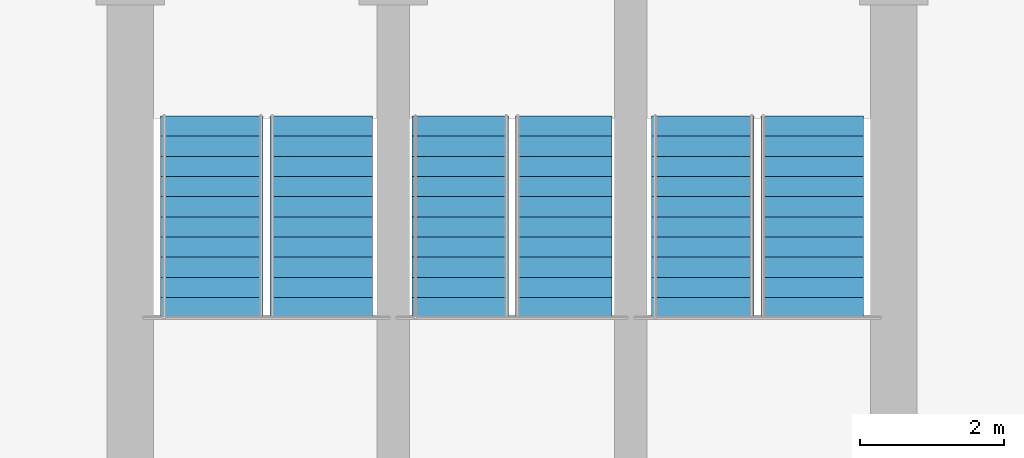
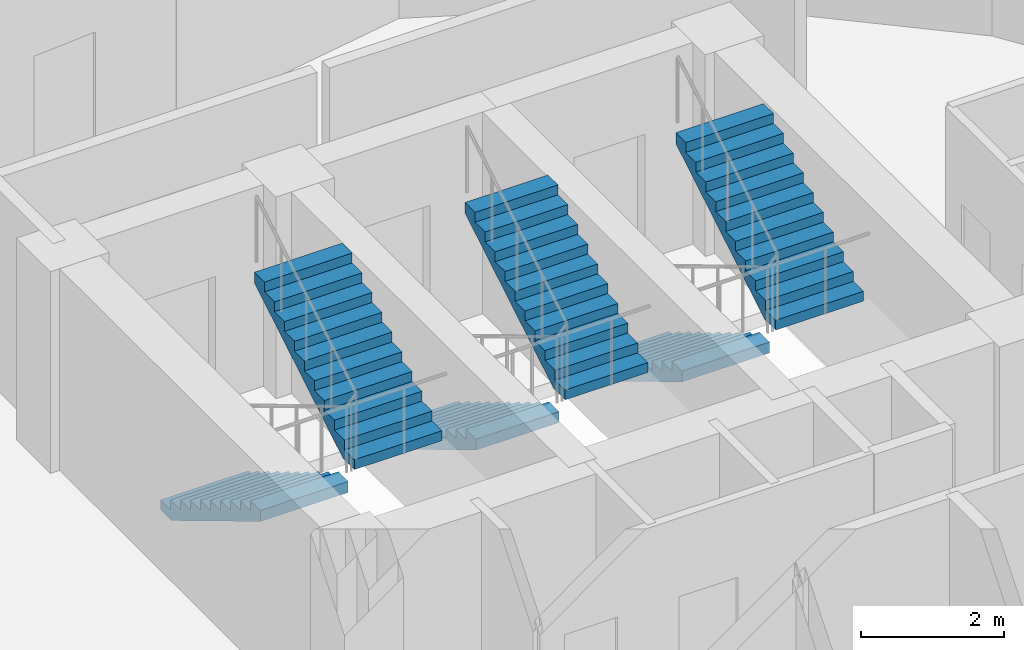
# One storey, part 25 of 26: 6 stair flights, 3 elements without a shape of their own.
"""IFC4 building model written with IfcOpenShell, lengths in metres."""

import ifcopenshell
import ifcopenshell.guid

model = None  # the IFC model being written
_history = None  # IfcOwnerHistory: only IFC2X3 demands one
_inside = {}  # id of a spatial element -> (the spatial element, [elements in it])
_under = {}  # id of a project, library or spatial element -> (it, [spatial elements below it])
_declared = {}  # id of a project -> (the project, [libraries it declares])
_typed = {}  # id of a type object -> (the type object, [elements of that type])
_made_of = {}  # id of a material, layer set ... -> (it, [elements and type objects made of it])


def new_model(schema):
    """Start an empty IFC model of exactly this schema.

    Asked for "IFC4X3", IfcOpenShell would pick the latest addendum, in which some entities
    have other attributes; the version numbers below select the first issue.
    IFC2X3 requires an IfcOwnerHistory on every rooted entity: one is made here for all.
    """
    global model, _history
    if schema == "IFC4X3":
        model = ifcopenshell.file(schema_version=(4, 3, 0, 0))
    else:
        model = ifcopenshell.file(schema=schema)
    _inside.clear()
    _under.clear()
    _declared.clear()
    _typed.clear()
    _made_of.clear()
    _history = None
    if model.schema == "IFC2X3":
        org = make("IfcOrganization", Name="unknown")
        user = make(
            "IfcPersonAndOrganization",
            ThePerson=make("IfcPerson", FamilyName="unknown"),
            TheOrganization=org,
        )
        app = make(
            "IfcApplication",
            ApplicationDeveloper=org,
            Version="unknown",
            ApplicationFullName="unknown",
            ApplicationIdentifier="unknown",
        )
        _history = make(
            "IfcOwnerHistory",
            OwningUser=user,
            OwningApplication=app,
            ChangeAction="ADDED",
            CreationDate=0,
        )
    return model


def make(cls, **values):
    """One entity of the class cls with the attributes given. An attribute that is None is left unset."""
    return model.create_entity(
        cls, **{name: value for name, value in values.items() if value is not None}
    )


def rooted(cls, **values):
    """An entity with a GlobalId (a new one), such as an element, a storey or a relation."""
    return make(cls, GlobalId=ifcopenshell.guid.new(), OwnerHistory=_history, **values)


def si_unit(unit_type, name, prefix=None):
    """IfcSIUnit, for example si_unit("LENGTHUNIT", "METRE", prefix="MILLI")."""
    return make("IfcSIUnit", UnitType=unit_type, Prefix=prefix, Name=name)


def assignment(units):
    """IfcUnitAssignment: the units of a project."""
    return None if units is None else make("IfcUnitAssignment", Units=units)


def point(xyz):
    """IfcCartesianPoint."""
    return None if xyz is None else make("IfcCartesianPoint", Coordinates=xyz)


def direction(xyz):
    """IfcDirection."""
    return None if xyz is None else make("IfcDirection", DirectionRatios=xyz)


def frame(location, z_axis=None, x_axis=None):
    """IfcAxis2Placement3D, a coordinate frame: its origin and axes. An axis left out is left unset."""
    return make(
        "IfcAxis2Placement3D",
        Location=point(location),
        Axis=direction(z_axis),
        RefDirection=direction(x_axis),
    )


def origin():
    """The frame at (0, 0, 0) with its axes left unset."""
    return frame((0.0, 0.0, 0.0))


def place(relative_to, where):
    """IfcLocalPlacement: puts the frame where relative to a parent placement (None: the world)."""
    return make(
        "IfcLocalPlacement", PlacementRelTo=relative_to, RelativePlacement=where
    )


def context(
    kind, dimensions, precision=None, world=None, true_north=None, identifier=None
):
    """IfcGeometricRepresentationContext, for example the 3D "Model" context."""
    return make(
        "IfcGeometricRepresentationContext",
        ContextIdentifier=identifier,
        ContextType=kind,
        CoordinateSpaceDimension=dimensions,
        Precision=precision,
        WorldCoordinateSystem=world,
        TrueNorth=true_north,
    )


def subcontext(parent, identifier, kind, view, scale=None):
    """IfcGeometricRepresentationSubContext, for example "Body" below "Model"."""
    return make(
        "IfcGeometricRepresentationSubContext",
        ContextIdentifier=identifier,
        ContextType=kind,
        ParentContext=parent,
        TargetScale=scale,
        TargetView=view,
    )


def project(units=None, contexts=None):
    """IfcProject with its units and contexts."""
    return rooted(
        "IfcProject",
        Name="project",
        RepresentationContexts=contexts,
        UnitsInContext=assignment(units),
    )


def spatial(cls, under=None, at=None, **own):
    """A site, building, storey or space (cls), placed at a placement, below another one or the project."""
    s = rooted(cls, ObjectPlacement=at, **own)
    if under is not None:
        _under.setdefault(under.id(), (under, []))[1].append(s)
    return s


def polyline(points):
    """IfcPolyline through the points."""
    return make("IfcPolyline", Points=[point(p) for p in points])


def outline(outer, holes=None, kind="AREA"):
    """IfcArbitraryClosedProfileDef: a profile drawn as a closed curve; with holes, ...WithVoids."""
    if holes is None:
        return make("IfcArbitraryClosedProfileDef", ProfileType=kind, OuterCurve=outer)
    return make(
        "IfcArbitraryProfileDefWithVoids",
        ProfileType=kind,
        OuterCurve=outer,
        InnerCurves=holes,
    )


def extrude(swept, where, along, depth):
    """IfcExtrudedAreaSolid: the profile swept, set in the frame where, extruded along a direction by depth."""
    return make(
        "IfcExtrudedAreaSolid",
        SweptArea=swept,
        Position=where,
        ExtrudedDirection=direction(along),
        Depth=depth,
    )


def shape(context_of_items, identifier, shape_type, items):
    """IfcShapeRepresentation: the items that make up one representation, for example the "Body"."""
    return make(
        "IfcShapeRepresentation",
        ContextOfItems=context_of_items,
        RepresentationIdentifier=identifier,
        RepresentationType=shape_type,
        Items=items,
    )


def material(Name=None, Category=None):
    """IfcMaterial."""
    return make("IfcMaterial", Name=Name, Category=Category)


def made_of(thing, what):
    """Note that an element or type object is made of a material, layer set ...; save() writes the relation."""
    if what is not None:
        _made_of.setdefault(what.id(), (what, []))[1].append(thing)
    return thing


def type_object(cls, material=None, **own):
    """A type object (cls), such as IfcWallType, which elements share."""
    return made_of(rooted(cls, **own), material)


def element(
    cls,
    number,
    at=None,
    inside=None,
    cuts=None,
    type_object=None,
    material=None,
    context=None,
    identifier="Body",
    shape_type=None,
    held_by="IfcProductDefinitionShape",
    body=None,
    shapes=None,
    **own,
):
    """One element of the class cls, such as IfcWall. Its Tag is "e" and its number.

    at: its placement. inside: the storey or other place that contains it. cuts: it is an
    opening in that element (IfcRelVoidsElement). A single representation is given by context,
    identifier, shape_type and body (its items); several are given by shapes. held_by: the class
    of the entity that holds the representations. save() writes the other relations.
    """
    e = rooted(cls, Tag="e%d" % number, ObjectPlacement=at, **own)
    if body is not None:
        shapes = [shape(context, identifier, shape_type, body)]
    if shapes is not None:
        e.Representation = make(held_by, Representations=shapes)
    if inside is not None:
        _inside.setdefault(inside.id(), (inside, []))[1].append(e)
    if cuts is not None:
        rooted(
            "IfcRelVoidsElement", RelatingBuildingElement=cuts, RelatedOpeningElement=e
        )
    if type_object is not None:
        _typed.setdefault(type_object.id(), (type_object, []))[1].append(e)
    return made_of(e, material)


def aggregate(whole, parts):
    """IfcRelAggregates: a whole, such as a stair, and the parts it consists of."""
    return rooted("IfcRelAggregates", RelatingObject=whole, RelatedObjects=parts)


def save(model, path):
    """Write the relations noted so far, then the file.

    IfcRelAggregates (storeys below a building ...), IfcRelContainedInSpatialStructure (elements
    in a storey), IfcRelDefinesByType, IfcRelAssociatesMaterial and IfcRelDeclares: one each for
    every whole, place, type object, material and project.
    """
    for whole, parts in _under.values():
        aggregate(whole, parts)
    for where, things in _inside.values():
        rooted(
            "IfcRelContainedInSpatialStructure",
            RelatedElements=things,
            RelatingStructure=where,
        )
    for kind, things in _typed.values():
        rooted("IfcRelDefinesByType", RelatedObjects=things, RelatingType=kind)
    for what, things in _made_of.values():
        rooted("IfcRelAssociatesMaterial", RelatedObjects=things, RelatingMaterial=what)
    for by, libraries in _declared.values():
        rooted("IfcRelDeclares", RelatingContext=by, RelatedDefinitions=libraries)
    model.write(path)


model = new_model("IFC4")

# Units and contexts
model_context = context("Model", 3, precision=1e-05, world=origin(), true_north=direction((0.0, 1.0)))
body_context = subcontext(model_context, "Body", "Model", "MODEL_VIEW")
ifc_project = project(units=[si_unit("LENGTHUNIT", "METRE"), si_unit("AREAUNIT", "SQUARE_METRE"), si_unit("VOLUMEUNIT", "CUBIC_METRE"), si_unit("PLANEANGLEUNIT", "RADIAN"), si_unit("MASSUNIT", "GRAM", prefix="KILO")], contexts=[model_context])

# Site, building, storey
site_placement = place(None, origin())
site = spatial("IfcSite", under=ifc_project, at=site_placement, CompositionType="ELEMENT")
building_placement = place(site_placement, origin())
building = spatial("IfcBuilding", under=site, at=building_placement, Name="Nuhasar Tower", CompositionType="ELEMENT")
storey_placement = place(building_placement, frame((0.0, 0.0, 166.35009765625)))
storey = spatial("IfcBuildingStorey", under=building, at=storey_placement, Name="L40", CompositionType="ELEMENT", Elevation=166.35009765625)

# Stair, stair flights
ifc_material = material(Name="Concrete C45/55", Category="concrete")
stair_type_1 = type_object("IfcStairType", Name="STR-ST-01-2F-22R-1682", PredefinedType="HALF_TURN_STAIR", material=ifc_material)
stair_1_placement = place(storey_placement, origin())
stair_1 = element("IfcStair", 1, at=stair_1_placement, inside=storey, type_object=stair_type_1, Name="L40 Exit Stair ST-01", PredefinedType="HALF_TURN_STAIR")
stair_flight_type_1 = type_object("IfcStairFlightType", Name="SFL-ST-01-11R-1682", PredefinedType="STRAIGHT", material=ifc_material)
stair_flight_1_placement = place(storey_placement, frame((34.830078125, 35.284912109375, 0.0), z_axis=(0.0, 0.0, 1.0), x_axis=(0.0, -1.0, 0.0)))
stair_flight_1 = element("IfcStairFlight", 2, at=stair_flight_1_placement, type_object=stair_flight_type_1, Name="ST-01 flight 1", NumberOfRisers=11, NumberOfTreads=10, PredefinedType="STRAIGHT", RiserHeight=0.168182, TreadLength=0.28, context=body_context, shape_type="SweptSolid", body=[
    extrude(outline(polyline([(0.0, 0.0), (0.0, 0.168212890625), (0.280029296875, 0.168212890625), (0.280029296875, 0.33642578125), (0.56005859375, 0.33642578125), (0.56005859375, 0.504638671875), (0.840087890625, 0.504638671875), (0.840087890625, 0.672607421875), (1.1201171875, 0.672607421875), (1.1201171875, 0.8408203125), (1.39990234375, 0.8408203125), (1.39990234375, 1.009033203125), (1.679931640625, 1.009033203125), (1.679931640625, 1.17724609375), (1.9599609375, 1.17724609375), (1.9599609375, 1.345458984375), (2.239990234375, 1.345458984375), (2.239990234375, 1.513671875), (2.52001953125, 1.513671875), (2.52001953125, 1.681884765625), (2.800048828125, 1.681884765625), (2.800048828125, 1.85009765625), (2.800048828125, 1.495361328125), (0.310546875, 0.0), (0.0, 0.0)])), frame((0.0, 0.7099609375, 0.0), z_axis=(0.0, -1.0, 0.0), x_axis=(1.0, 0.0, 0.0)), (0.0, 0.0, 1.0), 1.419921875),
])
stair_flight_2_placement = place(storey_placement, frame((36.35009765625, 32.485107421875, 1.849853515625), z_axis=(0.0, 0.0, 1.0), x_axis=(0.0, 1.0, 0.0)))
stair_flight_2 = element("IfcStairFlight", 3, at=stair_flight_2_placement, type_object=stair_flight_type_1, Name="ST-01 flight 2", NumberOfRisers=11, NumberOfTreads=10, PredefinedType="STRAIGHT", RiserHeight=0.168182, TreadLength=0.28, context=body_context, shape_type="SweptSolid", body=[
    extrude(outline(polyline([(0.0, 0.0), (0.0, 0.168212890625), (0.280029296875, 0.168212890625), (0.280029296875, 0.33642578125), (0.56005859375, 0.33642578125), (0.56005859375, 0.504638671875), (0.840087890625, 0.504638671875), (0.840087890625, 0.672607421875), (1.1201171875, 0.672607421875), (1.1201171875, 0.8408203125), (1.39990234375, 0.8408203125), (1.39990234375, 1.009033203125), (1.679931640625, 1.009033203125), (1.679931640625, 1.17724609375), (1.9599609375, 1.17724609375), (1.9599609375, 1.345458984375), (2.239990234375, 1.345458984375), (2.239990234375, 1.513671875), (2.52001953125, 1.513671875), (2.52001953125, 1.681884765625), (2.800048828125, 1.681884765625), (2.800048828125, 1.85009765625), (2.800048828125, 1.495361328125), (0.310546875, 0.0), (0.0, 0.0)])), frame((0.0, 0.7099609375, 0.0), z_axis=(0.0, -1.0, 0.0), x_axis=(1.0, 0.0, 0.0)), (0.0, 0.0, 1.0), 1.419921875),
])
aggregate(stair_1, [stair_flight_1, stair_flight_2])

stair_type_2 = type_object("IfcStairType", Name="STR-ST-02-2F-22R-1682", PredefinedType="HALF_TURN_STAIR", material=ifc_material)
stair_2_placement = place(storey_placement, origin())
stair_2 = element("IfcStair", 4, at=stair_2_placement, inside=storey, type_object=stair_type_2, Name="L40 Exit Stair ST-02", PredefinedType="HALF_TURN_STAIR")
stair_flight_type_2 = type_object("IfcStairFlightType", Name="SFL-ST-02-11R-1682", PredefinedType="STRAIGHT", material=ifc_material)
stair_flight_3_placement = place(storey_placement, frame((41.64990234375, 35.284912109375, 0.0), z_axis=(0.0, 0.0, 1.0), x_axis=(0.0, -1.0, 0.0)))
stair_flight_3 = element("IfcStairFlight", 5, at=stair_flight_3_placement, type_object=stair_flight_type_2, Name="ST-02 flight 1", NumberOfRisers=11, NumberOfTreads=10, PredefinedType="STRAIGHT", RiserHeight=0.168182, TreadLength=0.28, context=body_context, shape_type="SweptSolid", body=[
    extrude(outline(polyline([(0.0, 0.0), (0.0, 0.168212890625), (0.280029296875, 0.168212890625), (0.280029296875, 0.33642578125), (0.56005859375, 0.33642578125), (0.56005859375, 0.504638671875), (0.840087890625, 0.504638671875), (0.840087890625, 0.672607421875), (1.1201171875, 0.672607421875), (1.1201171875, 0.8408203125), (1.39990234375, 0.8408203125), (1.39990234375, 1.009033203125), (1.679931640625, 1.009033203125), (1.679931640625, 1.17724609375), (1.9599609375, 1.17724609375), (1.9599609375, 1.345458984375), (2.239990234375, 1.345458984375), (2.239990234375, 1.513671875), (2.52001953125, 1.513671875), (2.52001953125, 1.681884765625), (2.800048828125, 1.681884765625), (2.800048828125, 1.85009765625), (2.800048828125, 1.495361328125), (0.310546875, 0.0), (0.0, 0.0)])), frame((0.0, 0.7099609375, 0.0), z_axis=(0.0, -1.0, 0.0), x_axis=(1.0, 0.0, 0.0)), (0.0, 0.0, 1.0), 1.419921875),
])
stair_flight_4_placement = place(storey_placement, frame((43.169921875, 32.485107421875, 1.849853515625), z_axis=(0.0, 0.0, 1.0), x_axis=(0.0, 1.0, 0.0)))
stair_flight_4 = element("IfcStairFlight", 6, at=stair_flight_4_placement, type_object=stair_flight_type_2, Name="ST-02 flight 2", NumberOfRisers=11, NumberOfTreads=10, PredefinedType="STRAIGHT", RiserHeight=0.168182, TreadLength=0.28, context=body_context, shape_type="SweptSolid", body=[
    extrude(outline(polyline([(0.0, 0.0), (0.0, 0.168212890625), (0.280029296875, 0.168212890625), (0.280029296875, 0.33642578125), (0.56005859375, 0.33642578125), (0.56005859375, 0.504638671875), (0.840087890625, 0.504638671875), (0.840087890625, 0.672607421875), (1.1201171875, 0.672607421875), (1.1201171875, 0.8408203125), (1.39990234375, 0.8408203125), (1.39990234375, 1.009033203125), (1.679931640625, 1.009033203125), (1.679931640625, 1.17724609375), (1.9599609375, 1.17724609375), (1.9599609375, 1.345458984375), (2.239990234375, 1.345458984375), (2.239990234375, 1.513671875), (2.52001953125, 1.513671875), (2.52001953125, 1.681884765625), (2.800048828125, 1.681884765625), (2.800048828125, 1.85009765625), (2.800048828125, 1.495361328125), (0.310546875, 0.0), (0.0, 0.0)])), frame((0.0, 0.7099609375, 0.0), z_axis=(0.0, -1.0, 0.0), x_axis=(1.0, 0.0, 0.0)), (0.0, 0.0, 1.0), 1.419921875),
])
aggregate(stair_2, [stair_flight_3, stair_flight_4])

stair_type_3 = type_object("IfcStairType", Name="STR-ST-03-2F-22R-1682", PredefinedType="HALF_TURN_STAIR", material=ifc_material)
stair_3_placement = place(storey_placement, origin())
stair_3 = element("IfcStair", 7, at=stair_3_placement, inside=storey, type_object=stair_type_3, Name="L40 Exit Stair ST-03", PredefinedType="HALF_TURN_STAIR")
stair_flight_type_3 = type_object("IfcStairFlightType", Name="SFL-ST-03-11R-1682", PredefinedType="STRAIGHT", material=ifc_material)
stair_flight_5_placement = place(storey_placement, frame((38.280029296875, 35.284912109375, 0.0), z_axis=(0.0, 0.0, 1.0), x_axis=(0.0, -1.0, 0.0)))
stair_flight_5 = element("IfcStairFlight", 8, at=stair_flight_5_placement, type_object=stair_flight_type_3, Name="ST-03 flight 1", NumberOfRisers=11, NumberOfTreads=10, PredefinedType="STRAIGHT", RiserHeight=0.168182, TreadLength=0.28, context=body_context, shape_type="SweptSolid", body=[
    extrude(outline(polyline([(0.0, 0.0), (0.0, 0.168212890625), (0.280029296875, 0.168212890625), (0.280029296875, 0.33642578125), (0.56005859375, 0.33642578125), (0.56005859375, 0.504638671875), (0.840087890625, 0.504638671875), (0.840087890625, 0.672607421875), (1.1201171875, 0.672607421875), (1.1201171875, 0.8408203125), (1.39990234375, 0.8408203125), (1.39990234375, 1.009033203125), (1.679931640625, 1.009033203125), (1.679931640625, 1.17724609375), (1.9599609375, 1.17724609375), (1.9599609375, 1.345458984375), (2.239990234375, 1.345458984375), (2.239990234375, 1.513671875), (2.52001953125, 1.513671875), (2.52001953125, 1.681884765625), (2.800048828125, 1.681884765625), (2.800048828125, 1.85009765625), (2.800048828125, 1.495361328125), (0.310546875, 0.0), (0.0, 0.0)])), frame((0.0, 0.669921875, 0.0), z_axis=(0.0, -1.0, 0.0), x_axis=(1.0, 0.0, 0.0)), (0.0, 0.0, 1.0), 1.340087890625),
])
stair_flight_6_placement = place(storey_placement, frame((39.719970703125, 32.485107421875, 1.849853515625), z_axis=(0.0, 0.0, 1.0), x_axis=(0.0, 1.0, 0.0)))
stair_flight_6 = element("IfcStairFlight", 9, at=stair_flight_6_placement, type_object=stair_flight_type_3, Name="ST-03 flight 2", NumberOfRisers=11, NumberOfTreads=10, PredefinedType="STRAIGHT", RiserHeight=0.168182, TreadLength=0.28, context=body_context, shape_type="SweptSolid", body=[
    extrude(outline(polyline([(0.0, 0.0), (0.0, 0.168212890625), (0.280029296875, 0.168212890625), (0.280029296875, 0.33642578125), (0.56005859375, 0.33642578125), (0.56005859375, 0.504638671875), (0.840087890625, 0.504638671875), (0.840087890625, 0.672607421875), (1.1201171875, 0.672607421875), (1.1201171875, 0.8408203125), (1.39990234375, 0.8408203125), (1.39990234375, 1.009033203125), (1.679931640625, 1.009033203125), (1.679931640625, 1.17724609375), (1.9599609375, 1.17724609375), (1.9599609375, 1.345458984375), (2.239990234375, 1.345458984375), (2.239990234375, 1.513671875), (2.52001953125, 1.513671875), (2.52001953125, 1.681884765625), (2.800048828125, 1.681884765625), (2.800048828125, 1.85009765625), (2.800048828125, 1.495361328125), (0.310546875, 0.0), (0.0, 0.0)])), frame((0.0, 0.669921875, 0.0), z_axis=(0.0, -1.0, 0.0), x_axis=(1.0, 0.0, 0.0)), (0.0, 0.0, 1.0), 1.340087890625),
])
aggregate(stair_3, [stair_flight_5, stair_flight_6])

save(model, "model.ifc")
